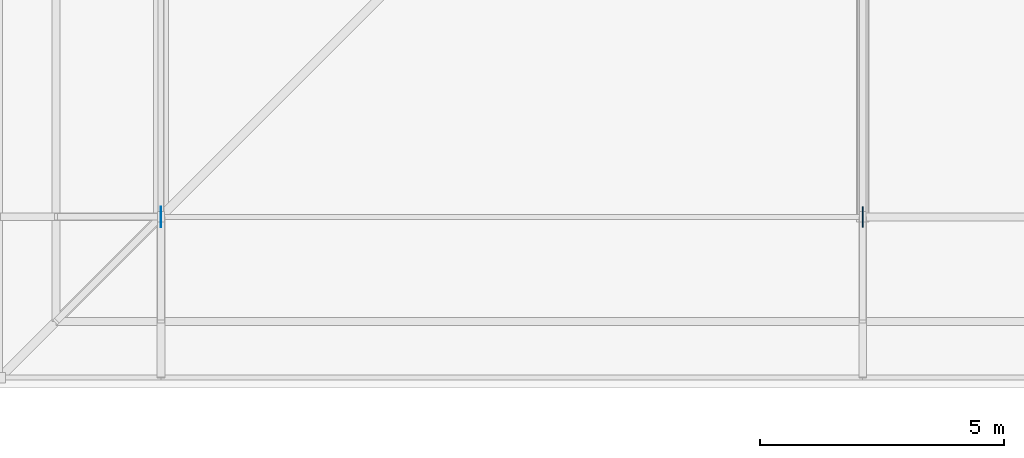
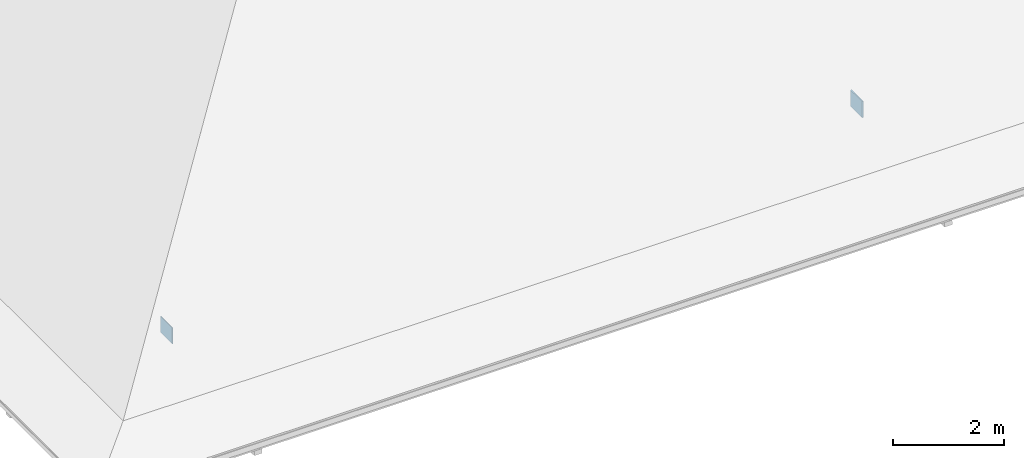
# One storey, part 57 of 100: 2 plates.
"""IFC4 building model written with IfcOpenShell, lengths in metres."""

from ifc_helpers import new_model, si_unit, direction, frame, origin, origin_2d, place, context, subcontext, project, spatial, rectangle, extrude, material, layer, layer_set, type_object, element, save


model = new_model("IFC4")

# Units and contexts
model_context = context("Model", 3, precision=1e-05, world=origin(), true_north=direction((0.0, 1.0)))
body_context = subcontext(model_context, "Body", "Model", "MODEL_VIEW")
ifc_project = project(units=[si_unit("LENGTHUNIT", "METRE"), si_unit("AREAUNIT", "SQUARE_METRE"), si_unit("VOLUMEUNIT", "CUBIC_METRE"), si_unit("PLANEANGLEUNIT", "RADIAN"), si_unit("MASSUNIT", "GRAM", prefix="KILO")], contexts=[model_context])

# Site, building, storey
site_placement = place(None, origin())
site = spatial("IfcSite", under=ifc_project, at=site_placement, CompositionType="ELEMENT")
building_placement = place(site_placement, origin())
building = spatial("IfcBuilding", under=site, at=building_placement, Name="Steenspoor Specialist Clinic", CompositionType="ELEMENT")
storey_placement = place(building_placement, frame((0.0, 0.0, 9.0)))
storey = spatial("IfcBuildingStorey", under=building, at=storey_placement, Name="L02", CompositionType="ELEMENT", Elevation=9.0)

# Plates
ifc_material = material(Name="Steel A572 Grade 50", Category="steel")
ifc_layer_1 = layer(ifc_material, 0.011962890625)
ifc_layer_set_1 = layer_set([ifc_layer_1], Name="Steel A572 Grade 50")
plate_type_1 = type_object("IfcPlateType", Name="PL-CAP-12", PredefinedType="SHEET", material=ifc_layer_set_1)
plate_1_placement = place(storey_placement, frame((45.199951171875, 13.050048828125, 0.1513671875), z_axis=(0.0, 0.0, 1.0), x_axis=(1.0, 0.0, 0.0)))
element("IfcPlate", 1, at=plate_1_placement, inside=storey, type_object=plate_type_1, Name="Truss Gusset Plate GP-12", PredefinedType="SHEET", context=body_context, shape_type="SweptSolid", body=[
    extrude(rectangle(XDim=0.011962890625, YDim=0.419921875, at=origin_2d()), origin(), (0.0, 0.0, 1.0), 0.360107421875),
])
ifc_layer_2 = layer(ifc_material, 0.028076171875)
ifc_layer_set_2 = layer_set([ifc_layer_2], Name="Steel A572 Grade 50")
plate_type_2 = type_object("IfcPlateType", Name="PL-SHOE-28", PredefinedType="SHEET", material=ifc_layer_set_2)
plate_2_placement = place(storey_placement, frame((59.60009765625, 13.050048828125, 0.1015625), z_axis=(0.0, 0.0, 1.0), x_axis=(1.0, 0.0, 0.0)))
element("IfcPlate", 2, at=plate_2_placement, inside=storey, type_object=plate_type_2, Name="Truss Gusset Plate GP-28", PredefinedType="SHEET", context=body_context, shape_type="SweptSolid", body=[
    extrude(rectangle(XDim=0.028076171875, YDim=0.419921875, at=origin_2d()), origin(), (0.0, 0.0, 1.0), 0.360107421875),
])

save(model, "model.ifc")
